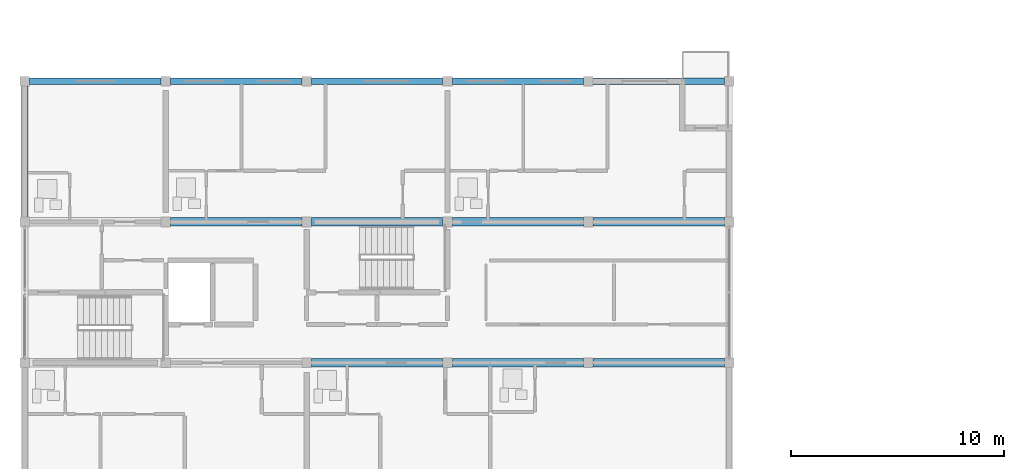
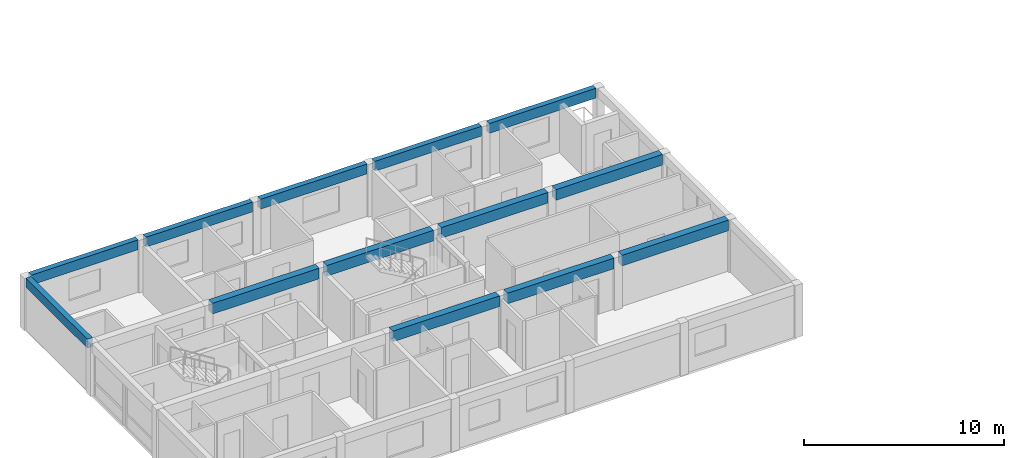
# One storey, part 11 of 34: 13 beams.
"""IFC4 building model written with IfcOpenShell, lengths in metres."""

from ifc_helpers import new_model, si_unit, direction, frame, origin, origin_2d, place, context, subcontext, project, spatial, rectangle, extrude, material, material_profile, profile_set, type_object, element, save


model = new_model("IFC4")

# Units and contexts
model_context = context("Model", 3, precision=1e-05, world=origin(), true_north=direction((0.0, 1.0)))
body_context = subcontext(model_context, "Body", "Model", "MODEL_VIEW")
ifc_project = project(units=[si_unit("LENGTHUNIT", "METRE"), si_unit("AREAUNIT", "SQUARE_METRE"), si_unit("VOLUMEUNIT", "CUBIC_METRE"), si_unit("PLANEANGLEUNIT", "RADIAN"), si_unit("MASSUNIT", "GRAM", prefix="KILO")], contexts=[model_context])

# Site, building, storey
site_placement = place(None, origin())
site = spatial("IfcSite", under=ifc_project, at=site_placement, CompositionType="ELEMENT")
building_placement = place(site_placement, origin())
building = spatial("IfcBuilding", under=site, at=building_placement, Name="Kernevlak Ridge Housing Community", CompositionType="ELEMENT")
storey_placement = place(building_placement, frame((0.0, 0.0, 40.39990234375)))
storey = spatial("IfcBuildingStorey", under=building, at=storey_placement, Name="L12", CompositionType="ELEMENT", Elevation=40.39990234375)

# Beams
ifc_material = material(Name="Concrete C35/45", Category="concrete")
ifc_material_profile_1 = material_profile(ifc_material, rectangle(XDim=0.39990234375, YDim=0.64990234375, at=origin_2d()), Name="RC 400x650")
ifc_profile_set_1 = profile_set([ifc_material_profile_1], Name="Concrete C35/45")
beam_type_1 = type_object("IfcBeamType", Name="B-03", PredefinedType="T_BEAM", material=ifc_profile_set_1)
beam_1_placement = place(storey_placement, frame((29.02490234375, 82.60009765625, 2.875), z_axis=(1.0, 0.0, 0.0), x_axis=(0.0, 1.0, 0.0)))
element("IfcBeam", 1, at=beam_1_placement, inside=storey, type_object=beam_type_1, Name="Beam B-03 L12 376", PredefinedType="T_BEAM", context=body_context, shape_type="SweptSolid", body=[
    extrude(rectangle(XDim=0.39990234375, YDim=0.64990234375, at=origin_2d()), origin(), (0.0, 0.0, 1.0), 6.150146484375),
])
for number, where, z_axis, x_axis, name in (
    (2, (35.625, 82.60009765625, 2.875), (1.0, 0.0, 0.0), (0.0, 1.0, 0.0), "Beam B-03 L12 377"),
    (3, (42.22509765625, 82.60009765625, 2.875), (1.0, 0.0, 0.0), (0.0, 1.0, 0.0), "Beam B-03 L12 378"),
    (4, (22.425048828125, 89.199951171875, 2.875), (1.0, 0.0, 0.0), (0.0, 1.0, 0.0), "Beam B-03 L12 380"),
):
    element("IfcBeam", number, at=place(storey_placement, frame(where, z_axis=z_axis, x_axis=x_axis)), inside=storey, type_object=beam_type_1, Name=name, PredefinedType="T_BEAM", context=body_context, shape_type="SweptSolid", body=[
        extrude(rectangle(XDim=0.39990234375, YDim=0.64990234375, at=origin_2d()), origin(), (0.0, 0.0, 1.0), 6.14990234375),
    ])
beam_2_placement = place(storey_placement, frame((29.02490234375, 89.199951171875, 2.875), z_axis=(1.0, 0.0, 0.0), x_axis=(0.0, 1.0, 0.0)))
element("IfcBeam", 5, at=beam_2_placement, inside=storey, type_object=beam_type_1, Name="Beam B-03 L12 381", PredefinedType="T_BEAM", context=body_context, shape_type="SweptSolid", body=[
    extrude(rectangle(XDim=0.39990234375, YDim=0.64990234375, at=origin_2d()), origin(), (0.0, 0.0, 1.0), 6.150146484375),
])
for number, where, z_axis, x_axis, name in (
    (6, (35.625, 89.199951171875, 2.875), (1.0, 0.0, 0.0), (0.0, 1.0, 0.0), "Beam B-03 L12 382"),
    (7, (42.22509765625, 89.199951171875, 2.875), (1.0, 0.0, 0.0), (0.0, 1.0, 0.0), "Beam B-03 L12 383"),
):
    element("IfcBeam", number, at=place(storey_placement, frame(where, z_axis=z_axis, x_axis=x_axis)), inside=storey, type_object=beam_type_1, Name=name, PredefinedType="T_BEAM", context=body_context, shape_type="SweptSolid", body=[
        extrude(rectangle(XDim=0.39990234375, YDim=0.64990234375, at=origin_2d()), origin(), (0.0, 0.0, 1.0), 6.14990234375),
    ])
ifc_material_profile_2 = material_profile(ifc_material, rectangle(XDim=0.300048828125, YDim=0.550048828125, at=origin_2d()), Name="RC 300x550")
ifc_profile_set_2 = profile_set([ifc_material_profile_2], Name="Concrete C35/45")
beam_type_2 = type_object("IfcBeamType", Name="SP-01", PredefinedType="SPANDREL", material=ifc_profile_set_2)
beam_3_placement = place(storey_placement, frame((15.60009765625, 89.425048828125, 2.925048828125), z_axis=(0.0, 1.0, 0.0), x_axis=(-1.0, 0.0, 0.0)))
element("IfcBeam", 8, at=beam_3_placement, inside=storey, type_object=beam_type_2, Name="Beam SP-01 L12 391", PredefinedType="SPANDREL", context=body_context, shape_type="SweptSolid", body=[
    extrude(rectangle(XDim=0.300048828125, YDim=0.550048828125, at=origin_2d()), origin(), (0.0, 0.0, 1.0), 6.14990234375),
])
ifc_material_profile_3 = material_profile(ifc_material, rectangle(XDim=0.300048828125, YDim=0.60009765625, at=origin_2d()), Name="RC 300x600")
ifc_profile_set_3 = profile_set([ifc_material_profile_3], Name="Concrete C35/45")
beam_type_3 = type_object("IfcBeamType", Name="SP-02", PredefinedType="SPANDREL", material=ifc_profile_set_3)
beam_4_placement = place(storey_placement, frame((15.824951171875, 95.800048828125, 2.900146484375), z_axis=(1.0, 0.0, 0.0), x_axis=(0.0, 1.0, 0.0)))
element("IfcBeam", 9, at=beam_4_placement, inside=storey, type_object=beam_type_3, Name="Beam SP-02 L12 384", PredefinedType="SPANDREL", context=body_context, shape_type="SweptSolid", body=[
    extrude(rectangle(XDim=0.300048828125, YDim=0.60009765625, at=origin_2d()), origin(), (0.0, 0.0, 1.0), 6.150146484375),
])
beam_5_placement = place(storey_placement, frame((22.425048828125, 95.800048828125, 2.900146484375), z_axis=(1.0, 0.0, 0.0), x_axis=(0.0, 1.0, 0.0)))
element("IfcBeam", 10, at=beam_5_placement, inside=storey, type_object=beam_type_3, Name="Beam SP-02 L12 385", PredefinedType="SPANDREL", context=body_context, shape_type="SweptSolid", body=[
    extrude(rectangle(XDim=0.300048828125, YDim=0.60009765625, at=origin_2d()), origin(), (0.0, 0.0, 1.0), 6.14990234375),
])
beam_6_placement = place(storey_placement, frame((29.02490234375, 95.800048828125, 2.900146484375), z_axis=(1.0, 0.0, 0.0), x_axis=(0.0, 1.0, 0.0)))
element("IfcBeam", 11, at=beam_6_placement, inside=storey, type_object=beam_type_3, Name="Beam SP-02 L12 386", PredefinedType="SPANDREL", context=body_context, shape_type="SweptSolid", body=[
    extrude(rectangle(XDim=0.300048828125, YDim=0.60009765625, at=origin_2d()), origin(), (0.0, 0.0, 1.0), 6.150146484375),
])
for number, where, z_axis, x_axis, name in (
    (12, (35.625, 95.800048828125, 2.900146484375), (1.0, 0.0, 0.0), (0.0, 1.0, 0.0), "Beam SP-02 L12 387"),
    (13, (42.22509765625, 95.800048828125, 2.900146484375), (1.0, 0.0, 0.0), (0.0, 1.0, 0.0), "Beam SP-02 L12 388"),
):
    element("IfcBeam", number, at=place(storey_placement, frame(where, z_axis=z_axis, x_axis=x_axis)), inside=storey, type_object=beam_type_3, Name=name, PredefinedType="SPANDREL", context=body_context, shape_type="SweptSolid", body=[
        extrude(rectangle(XDim=0.300048828125, YDim=0.60009765625, at=origin_2d()), origin(), (0.0, 0.0, 1.0), 6.14990234375),
    ])

save(model, "model.ifc")
